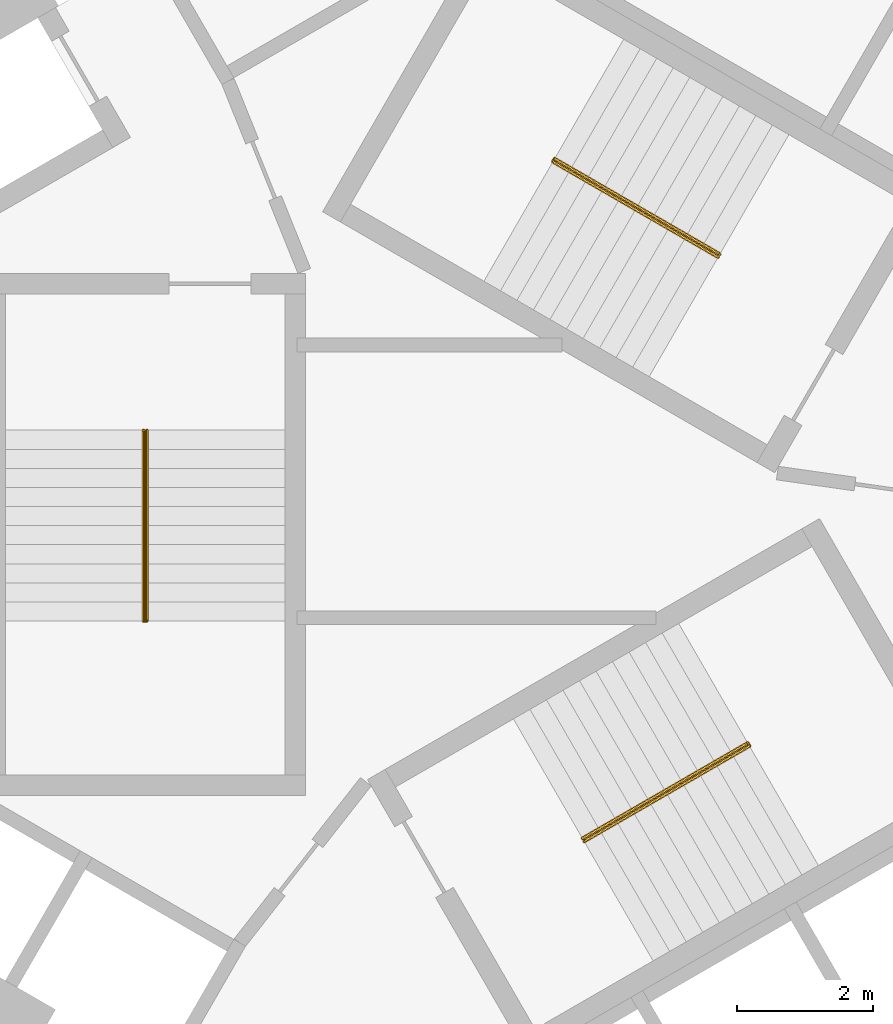
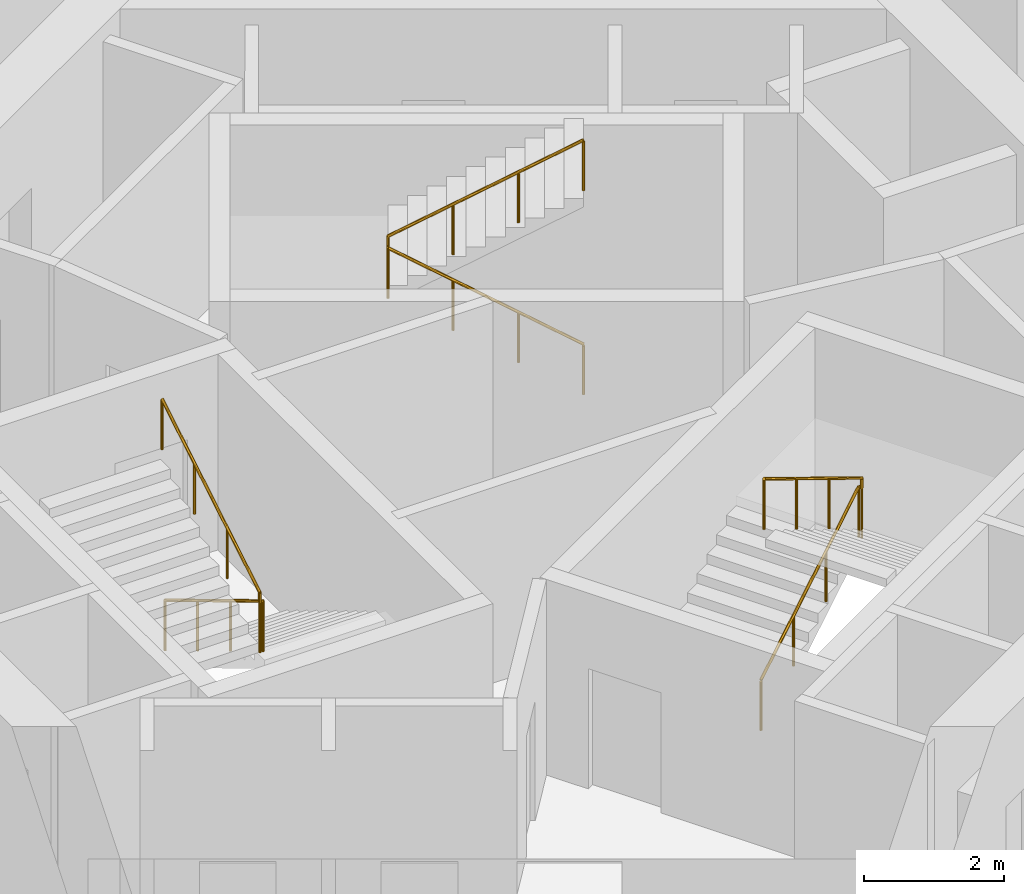
# One storey, part 11 of 11: 3 railings.
"""IFC4 building model written with IfcOpenShell, lengths in metres."""

from ifc_helpers import new_model, si_unit, direction, frame, origin, origin_2d, place, context, subcontext, project, spatial, circle, extrude, material, type_object, element, save


model = new_model("IFC4")

# Units and contexts
model_context = context("Model", 3, precision=1e-05, world=origin(), true_north=direction((0.0, 1.0)))
body_context = subcontext(model_context, "Body", "Model", "MODEL_VIEW")
ifc_project = project(units=[si_unit("LENGTHUNIT", "METRE"), si_unit("AREAUNIT", "SQUARE_METRE"), si_unit("VOLUMEUNIT", "CUBIC_METRE"), si_unit("PLANEANGLEUNIT", "RADIAN"), si_unit("MASSUNIT", "GRAM", prefix="KILO")], contexts=[model_context])

# Site, building, storey
site_placement = place(None, origin())
site = spatial("IfcSite", under=ifc_project, at=site_placement, CompositionType="ELEMENT")
building_placement = place(site_placement, origin())
building = spatial("IfcBuilding", under=site, at=building_placement, Name="Vanh Sen Convention Tower", CompositionType="ELEMENT")
storey_placement = place(building_placement, frame((0.0, 0.0, 240.199951171875)))
storey = spatial("IfcBuildingStorey", under=building, at=storey_placement, Name="L59", CompositionType="ELEMENT", Elevation=240.199951171875)

# Railings
ifc_material = material(Name="Stainless steel handrail", Category="steel")
railing_type = type_object("IfcRailingType", Name="Stair handrail 900", PredefinedType="HANDRAIL", material=ifc_material)
railing_1_placement = place(storey_placement, frame((3.45849609375, 3.690185546875, 0.168212890625)))
element("IfcRailing", 1, at=railing_1_placement, inside=storey, type_object=railing_type, Name="Stair handrail ST1 L59", PredefinedType="HANDRAIL", context=body_context, shape_type="SweptSolid", body=[
    extrude(circle(Radius=0.02392578125, at=origin_2d()), frame((0.0, 0.0, 0.8759765625), z_axis=(-0.742390482028, 0.42860119049, 0.514934356695), x_axis=(-0.49998411664, -0.866034573852, 0.0)), (0.0, 0.0, 1.0), 3.26611328125),
    extrude(circle(Radius=0.02392578125, at=origin_2d()), frame((-2.4248046875, 1.39990234375, 2.5576171875), z_axis=(0.497188445666, 0.867642581652, 0.0), x_axis=(-0.867642581652, 0.497188445666, 0.0)), (0.0, 0.0, 1.0), 0.050048828125),
    extrude(circle(Radius=0.02392578125, at=origin_2d()), frame((-2.39990234375, 1.443359375, 2.5576171875), z_axis=(0.0, 0.0, 1.0), x_axis=(1.0, 0.0, 0.0)), (0.0, 0.0, 1.0), 0.168212890625),
    extrude(circle(Radius=0.02392578125, at=origin_2d()), frame((-2.39990234375, 1.443359375, 2.72607421875), z_axis=(0.742395268701, -0.428678701772, 0.514862928999), x_axis=(0.500049511043, 0.865996816683, 0.0)), (0.0, 0.0, 1.0), 3.26611328125),
    extrude(circle(Radius=0.02099609375, at=origin_2d()), origin(), (0.0, 0.0, 1.0), 0.851806640625),
    extrude(circle(Radius=0.02099609375, at=origin_2d()), frame((-0.808349609375, 0.466552734375, 0.560546875)), (0.0, 0.0, 1.0), 0.851806640625),
    extrude(circle(Radius=0.02099609375, at=origin_2d()), frame((-1.616455078125, 0.933349609375, 1.121337890625)), (0.0, 0.0, 1.0), 0.851806640625),
    extrude(circle(Radius=0.02099609375, at=origin_2d()), frame((-2.4248046875, 1.39990234375, 1.681884765625)), (0.0, 0.0, 1.0), 0.851806640625),
    extrude(circle(Radius=0.02099609375, at=origin_2d()), frame((-2.39990234375, 1.443359375, 1.681884765625)), (0.0, 0.0, 1.0), 0.851806640625),
    extrude(circle(Radius=0.02099609375, at=origin_2d()), frame((-2.39990234375, 1.443359375, 1.85009765625)), (0.0, 0.0, 1.0), 0.851806640625),
    extrude(circle(Radius=0.02099609375, at=origin_2d()), frame((-1.591552734375, 0.9765625, 2.41064453125)), (0.0, 0.0, 1.0), 0.851806640625),
    extrude(circle(Radius=0.02099609375, at=origin_2d()), frame((-0.783447265625, 0.510009765625, 2.97119140625)), (0.0, 0.0, 1.0), 0.851806640625),
    extrude(circle(Radius=0.02099609375, at=origin_2d()), frame((0.02490234375, 0.043212890625, 3.53173828125)), (0.0, 0.0, 1.0), 0.851806640625),
])
railing_2_placement = place(storey_placement, frame((-4.925048828125, 1.14990234375, 0.168212890625)))
element("IfcRailing", 2, at=railing_2_placement, inside=storey, type_object=railing_type, Name="Stair handrail ST2 L59", PredefinedType="HANDRAIL", context=body_context, shape_type="SweptSolid", body=[
    extrude(circle(Radius=0.02392578125, at=origin_2d()), frame((0.0, 0.0, 0.8759765625), z_axis=(0.0, -0.857222391501, 0.514946377315), x_axis=(1.0, 0.0, 0.0)), (0.0, 0.0, 1.0), 3.26611328125),
    extrude(circle(Radius=0.02392578125, at=origin_2d()), frame((0.0, -2.7998046875, 2.5576171875), z_axis=(-1.0, 0.0, 0.0), x_axis=(0.0, -1.0, 0.0)), (0.0, 0.0, 1.0), 0.050048828125),
    extrude(circle(Radius=0.02392578125, at=origin_2d()), frame((-0.050048828125, -2.7998046875, 2.5576171875), z_axis=(0.0, 0.0, 1.0), x_axis=(1.0, 0.0, 0.0)), (0.0, 0.0, 1.0), 0.168212890625),
    extrude(circle(Radius=0.02392578125, at=origin_2d()), frame((-0.050048828125, -2.7998046875, 2.72607421875), z_axis=(0.0, 0.857255387014, 0.514891446264), x_axis=(-1.0, 0.0, 0.0)), (0.0, 0.0, 1.0), 3.26611328125),
    extrude(circle(Radius=0.02099609375, at=origin_2d()), origin(), (0.0, 0.0, 1.0), 0.851806640625),
    extrude(circle(Radius=0.02099609375, at=origin_2d()), frame((0.0, -0.933349609375, 0.560546875)), (0.0, 0.0, 1.0), 0.851806640625),
    extrude(circle(Radius=0.02099609375, at=origin_2d()), frame((0.0, -1.866455078125, 1.121337890625)), (0.0, 0.0, 1.0), 0.851806640625),
    extrude(circle(Radius=0.02099609375, at=origin_2d()), frame((0.0, -2.7998046875, 1.681884765625)), (0.0, 0.0, 1.0), 0.851806640625),
    extrude(circle(Radius=0.02099609375, at=origin_2d()), frame((-0.050048828125, -2.7998046875, 1.681884765625)), (0.0, 0.0, 1.0), 0.851806640625),
    extrude(circle(Radius=0.02099609375, at=origin_2d()), frame((-0.050048828125, -2.7998046875, 1.85009765625)), (0.0, 0.0, 1.0), 0.851806640625),
    extrude(circle(Radius=0.02099609375, at=origin_2d()), frame((-0.050048828125, -1.866455078125, 2.41064453125)), (0.0, 0.0, 1.0), 0.851806640625),
    extrude(circle(Radius=0.02099609375, at=origin_2d()), frame((-0.050048828125, -0.933349609375, 2.97119140625)), (0.0, 0.0, 1.0), 0.851806640625),
    extrude(circle(Radius=0.02099609375, at=origin_2d()), frame((-0.050048828125, 0.0, 3.53173828125)), (0.0, 0.0, 1.0), 0.851806640625),
])
railing_3_placement = place(storey_placement, frame((1.466552734375, -4.840087890625, 0.168212890625)))
element("IfcRailing", 3, at=railing_3_placement, inside=storey, type_object=railing_type, Name="Stair handrail ST3 L59", PredefinedType="HANDRAIL", context=body_context, shape_type="SweptSolid", body=[
    extrude(circle(Radius=0.02392578125, at=origin_2d()), frame((0.0, 0.0, 0.8759765625), z_axis=(0.742390482028, 0.42860119049, 0.514934356695), x_axis=(-0.49998411664, 0.866034573852, 0.0)), (0.0, 0.0, 1.0), 3.26611328125),
    extrude(circle(Radius=0.02392578125, at=origin_2d()), frame((2.4248046875, 1.39990234375, 2.5576171875), z_axis=(0.502959906984, -0.86430974307, 0.0), x_axis=(0.86430974307, 0.502959906984, 0.0)), (0.0, 0.0, 1.0), 0.050048828125),
    extrude(circle(Radius=0.02392578125, at=origin_2d()), frame((2.449951171875, 1.356689453125, 2.5576171875), z_axis=(0.0, 0.0, 1.0), x_axis=(1.0, 0.0, 0.0)), (0.0, 0.0, 1.0), 0.168212890625),
    extrude(circle(Radius=0.02392578125, at=origin_2d()), frame((2.449951171875, 1.356689453125, 2.72607421875), z_axis=(-0.742395268701, -0.428678701772, 0.514862928999), x_axis=(0.500049511043, -0.865996816683, 0.0)), (0.0, 0.0, 1.0), 3.26611328125),
    extrude(circle(Radius=0.02099609375, at=origin_2d()), origin(), (0.0, 0.0, 1.0), 0.851806640625),
    extrude(circle(Radius=0.02099609375, at=origin_2d()), frame((0.808349609375, 0.466552734375, 0.560546875)), (0.0, 0.0, 1.0), 0.851806640625),
    extrude(circle(Radius=0.02099609375, at=origin_2d()), frame((1.616455078125, 0.933349609375, 1.121337890625)), (0.0, 0.0, 1.0), 0.851806640625),
    extrude(circle(Radius=0.02099609375, at=origin_2d()), frame((2.4248046875, 1.39990234375, 1.681884765625)), (0.0, 0.0, 1.0), 0.851806640625),
    extrude(circle(Radius=0.02099609375, at=origin_2d()), frame((2.449951171875, 1.356689453125, 1.681884765625)), (0.0, 0.0, 1.0), 0.851806640625),
    extrude(circle(Radius=0.02099609375, at=origin_2d()), frame((2.449951171875, 1.356689453125, 1.85009765625)), (0.0, 0.0, 1.0), 0.851806640625),
    extrude(circle(Radius=0.02099609375, at=origin_2d()), frame((1.6416015625, 0.889892578125, 2.41064453125)), (0.0, 0.0, 1.0), 0.851806640625),
    extrude(circle(Radius=0.02099609375, at=origin_2d()), frame((0.83349609375, 0.42333984375, 2.97119140625)), (0.0, 0.0, 1.0), 0.851806640625),
    extrude(circle(Radius=0.02099609375, at=origin_2d()), frame((0.025146484375, -0.04345703125, 3.53173828125)), (0.0, 0.0, 1.0), 0.851806640625),
])

save(model, "model.ifc")
